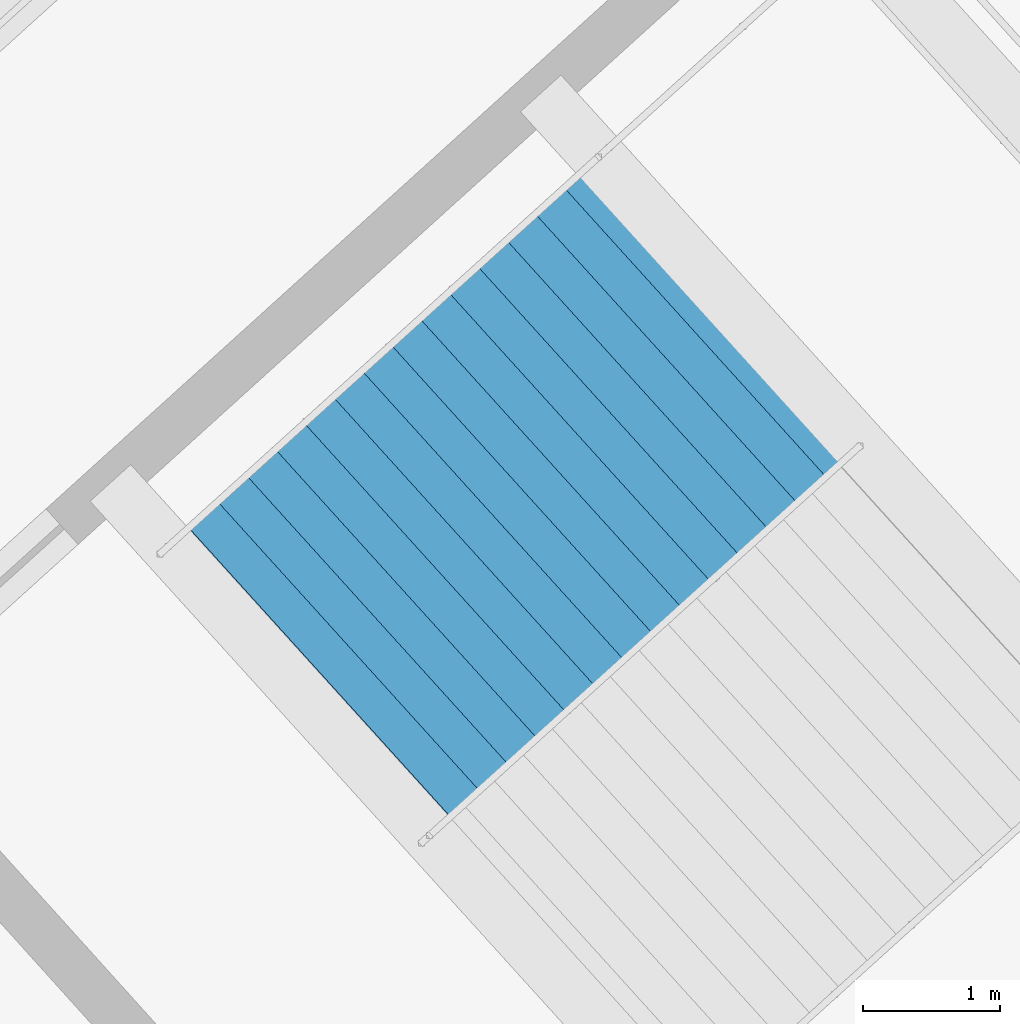
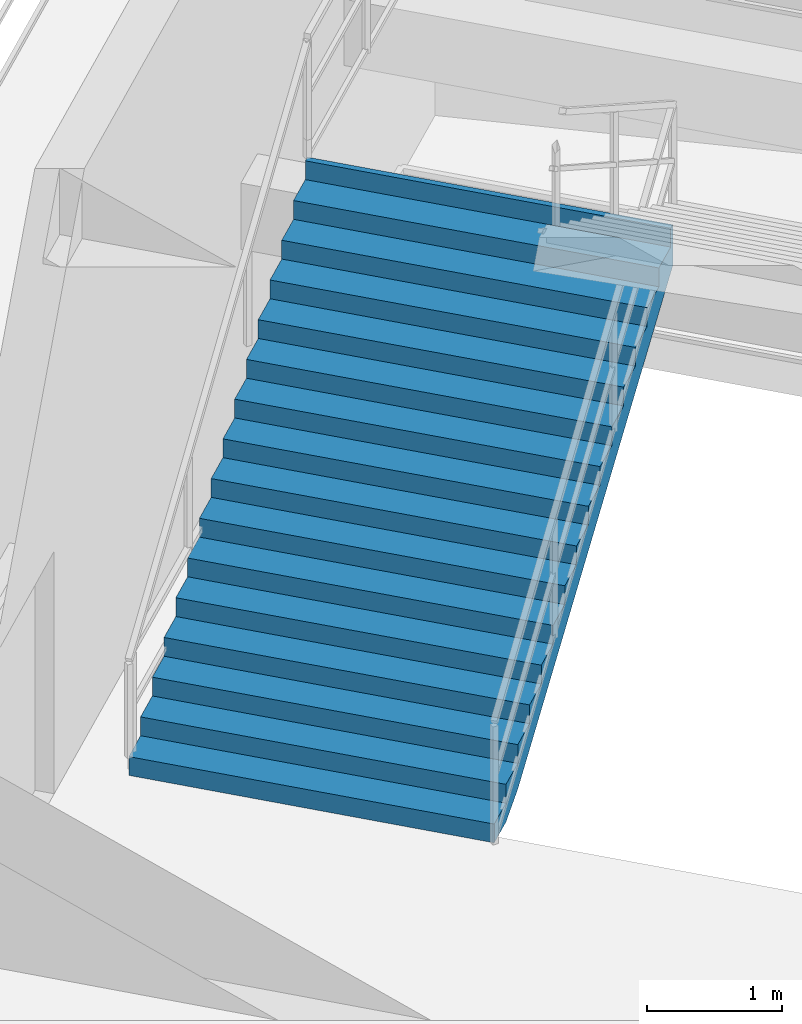
# One storey, part 154 of 186: 1 stair flight, 1 element without a shape of its own.
"""IFC4 building model written with IfcOpenShell, lengths in metres."""

from ifc_helpers import new_model, si_unit, direction, frame, origin, place, context, subcontext, project, spatial, polygons, material, type_object, element, aggregate, save


model = new_model("IFC4")

# Units and contexts
model_context = context("Model", 3, precision=1e-05, world=origin(), true_north=direction((0.0, 1.0)))
body_context = subcontext(model_context, "Body", "Model", "MODEL_VIEW")
ifc_project = project(units=[si_unit("LENGTHUNIT", "METRE"), si_unit("AREAUNIT", "SQUARE_METRE"), si_unit("VOLUMEUNIT", "CUBIC_METRE"), si_unit("PLANEANGLEUNIT", "RADIAN"), si_unit("MASSUNIT", "GRAM", prefix="KILO")], contexts=[model_context])

# Site, building, storey
site_placement = place(None, origin())
site = spatial("IfcSite", under=ifc_project, at=site_placement, CompositionType="ELEMENT")
building_placement = place(site_placement, origin())
building = spatial("IfcBuilding", under=site, at=building_placement, Name="Kazemori Nagisa Stadium", CompositionType="ELEMENT")
storey_placement = place(building_placement, frame((0.0, 0.0, 20.39990234375)))
storey = spatial("IfcBuildingStorey", under=building, at=storey_placement, Name="L04", CompositionType="ELEMENT", Elevation=20.39990234375)

# Stair, stair flight
ifc_material = material(Name="Concrete C36/45 (Fc36)", Category="concrete")
stair_type = type_object("IfcStairType", Name="Stair_CORE_32", PredefinedType="TWO_STRAIGHT_RUN_STAIR", material=ifc_material)
stair_placement = place(storey_placement, origin())
stair = element("IfcStair", 1, at=stair_placement, inside=storey, type_object=stair_type, Name="Exit stair ST04 L04", PredefinedType="TWO_STRAIGHT_RUN_STAIR")
stair_flight_type = type_object("IfcStairFlightType", Name="Flight_CORE_16", PredefinedType="STRAIGHT", material=ifc_material)
stair_flight_placement = place(storey_placement, frame((182.77587890625, 39.410400390625, 0.0), z_axis=(0.0, 0.0, 1.0), x_axis=(0.741328742395, 0.671142083093, 0.0)))
stair_flight = element("IfcStairFlight", 2, at=stair_flight_placement, type_object=stair_flight_type, Name="Exit stair ST04 L04 flight 1", NumberOfRisers=16, NumberOfTreads=15, PredefinedType="STRAIGHT", RiserHeight=0.17, TreadLength=0.285, context=body_context, shape_type="Tessellation", body=[
    polygons([(0.0, -1.425048828125, 0.0), (0.0, -1.425048828125, 0.169921875), (0.284912109375, -1.425048828125, 0.169921875), (0.284912109375, -1.425048828125, 0.340087890625), (0.570068359375, -1.425048828125, 0.340087890625), (0.570068359375, -1.425048828125, 0.510009765625), (0.85498046875, -1.425048828125, 0.510009765625), (0.85498046875, -1.425048828125, 0.679931640625), (1.139892578125, -1.425048828125, 0.679931640625), (1.139892578125, -1.425048828125, 0.85009765625), (1.425048828125, -1.425048828125, 0.85009765625), (1.425048828125, -1.425048828125, 1.02001953125), (1.7099609375, -1.425048828125, 1.02001953125), (1.7099609375, -1.425048828125, 1.18994140625), (1.9951171875, -1.425048828125, 1.18994140625), (1.9951171875, -1.425048828125, 1.360107421875), (2.280029296875, -1.425048828125, 1.360107421875), (2.280029296875, -1.425048828125, 1.530029296875), (2.56494140625, -1.425048828125, 1.530029296875), (2.56494140625, -1.425048828125, 1.699951171875), (2.85009765625, -1.425048828125, 1.699951171875), (2.85009765625, -1.425048828125, 1.8701171875), (3.135009765625, -1.425048828125, 1.8701171875), (3.135009765625, -1.425048828125, 2.0400390625), (3.419921875, -1.425048828125, 2.0400390625), (3.419921875, -1.425048828125, 2.2099609375), (3.705078125, -1.425048828125, 2.2099609375), (3.705078125, -1.425048828125, 2.3798828125), (3.989990234375, -1.425048828125, 2.3798828125), (3.989990234375, -1.425048828125, 2.550048828125), (4.27490234375, -1.425048828125, 2.550048828125), (4.27490234375, -1.425048828125, 2.719970703125), (4.324951171875, -1.425048828125, 2.719970703125), (4.324951171875, -1.425048828125, 2.346923828125), (4.27490234375, -1.425048828125, 2.317138671875), (3.989990234375, -1.425048828125, 2.147216796875), (3.705078125, -1.425048828125, 1.977294921875), (3.419921875, -1.425048828125, 1.80712890625), (3.135009765625, -1.425048828125, 1.63720703125), (2.85009765625, -1.425048828125, 1.46728515625), (2.56494140625, -1.425048828125, 1.297119140625), (2.280029296875, -1.425048828125, 1.127197265625), (1.9951171875, -1.425048828125, 0.957275390625), (1.7099609375, -1.425048828125, 0.787109375), (1.425048828125, -1.425048828125, 0.6171875), (1.139892578125, -1.425048828125, 0.447265625), (0.85498046875, -1.425048828125, 0.277099609375), (0.570068359375, -1.425048828125, 0.107177734375), (0.284912109375, -1.425048828125, 0.0), (0.0, -0.08544921875, 0.0), (0.0, -0.08544921875, 0.169921875), (0.284912109375, -0.08544921875, 0.169921875), (0.284912109375, -0.08544921875, 0.340087890625), (0.570068359375, -0.08544921875, 0.340087890625), (0.570068359375, -0.08544921875, 0.510009765625), (0.85498046875, -0.08544921875, 0.510009765625), (0.85498046875, -0.08544921875, 0.679931640625), (1.139892578125, -0.08544921875, 0.679931640625), (1.139892578125, -0.08544921875, 0.85009765625), (1.425048828125, -0.08544921875, 0.85009765625), (1.425048828125, -0.08544921875, 1.02001953125), (1.7099609375, -0.08544921875, 1.02001953125), (1.7099609375, -0.08544921875, 1.18994140625), (1.9951171875, -0.08544921875, 1.18994140625), (1.9951171875, -0.08544921875, 1.360107421875), (2.280029296875, -0.08544921875, 1.360107421875), (2.280029296875, -0.08544921875, 1.530029296875), (2.56494140625, -0.08544921875, 1.530029296875), (2.56494140625, -0.08544921875, 1.699951171875), (2.85009765625, -0.08544921875, 1.699951171875), (2.85009765625, -0.08544921875, 1.8701171875), (3.135009765625, -0.08544921875, 1.8701171875), (3.135009765625, -0.08544921875, 2.0400390625), (3.419921875, -0.08544921875, 2.0400390625), (3.419921875, -0.08544921875, 2.2099609375), (3.705078125, -0.08544921875, 2.2099609375), (3.705078125, -0.08544921875, 2.3798828125), (3.989990234375, -0.08544921875, 2.3798828125), (3.989990234375, -0.08544921875, 2.550048828125), (4.27490234375, -0.08544921875, 2.550048828125), (4.27490234375, -0.08544921875, 2.719970703125), (4.324951171875, -0.08544921875, 2.719970703125), (4.324951171875, -0.08544921875, 2.346923828125), (4.27490234375, -0.08544921875, 2.317138671875), (3.989990234375, -0.08544921875, 2.147216796875), (3.705078125, -0.08544921875, 1.977294921875), (3.419921875, -0.08544921875, 1.80712890625), (3.135009765625, -0.08544921875, 1.63720703125), (2.85009765625, -0.08544921875, 1.46728515625), (2.56494140625, -0.08544921875, 1.297119140625), (2.280029296875, -0.08544921875, 1.127197265625), (1.9951171875, -0.08544921875, 0.957275390625), (1.7099609375, -0.08544921875, 0.787109375), (1.425048828125, -0.08544921875, 0.6171875), (1.139892578125, -0.08544921875, 0.447265625), (0.85498046875, -0.08544921875, 0.277099609375), (0.570068359375, -0.08544921875, 0.107177734375), (0.284912109375, -0.08544921875, 0.0), (0.0, 0.0, 0.0), (0.0, 0.0, 0.169921875), (0.284912109375, 0.0, 0.169921875), (0.284912109375, 0.0, 0.340087890625), (0.570068359375, 0.0, 0.340087890625), (0.570068359375, 0.0, 0.510009765625), (0.85498046875, 0.0, 0.510009765625), (0.85498046875, 0.0, 0.679931640625), (1.139892578125, 0.0, 0.679931640625), (1.139892578125, 0.0, 0.85009765625), (1.425048828125, 0.0, 0.85009765625), (1.425048828125, 0.0, 1.02001953125), (1.7099609375, 0.0, 1.02001953125), (1.7099609375, 0.0, 1.18994140625), (1.9951171875, 0.0, 1.18994140625), (1.9951171875, 0.0, 1.360107421875), (2.280029296875, 0.0, 1.360107421875), (2.280029296875, 0.0, 1.530029296875), (2.56494140625, 0.0, 1.530029296875), (2.56494140625, 0.0, 1.699951171875), (2.85009765625, 0.0, 1.699951171875), (2.85009765625, 0.0, 1.8701171875), (3.135009765625, 0.0, 1.8701171875), (3.135009765625, 0.0, 2.0400390625), (3.419921875, 0.0, 2.0400390625), (3.419921875, 0.0, 2.2099609375), (3.705078125, 0.0, 2.2099609375), (3.705078125, 0.0, 2.3798828125), (3.989990234375, 0.0, 2.3798828125), (3.989990234375, 0.0, 2.550048828125), (4.27490234375, 0.0, 2.550048828125), (4.27490234375, 0.0, 2.719970703125), (4.324951171875, 0.0, 2.719970703125), (4.324951171875, 0.0, 2.346923828125), (4.27490234375, 0.0, 2.317138671875), (3.989990234375, 0.0, 2.147216796875), (3.705078125, 0.0, 1.977294921875), (3.419921875, 0.0, 1.80712890625), (3.135009765625, 0.0, 1.63720703125), (2.85009765625, 0.0, 1.46728515625), (2.56494140625, 0.0, 1.297119140625), (2.280029296875, 0.0, 1.127197265625), (1.9951171875, 0.0, 0.957275390625), (1.7099609375, 0.0, 0.787109375), (1.425048828125, 0.0, 0.6171875), (1.139892578125, 0.0, 0.447265625), (0.85498046875, 0.0, 0.277099609375), (0.570068359375, 0.0, 0.107177734375), (0.284912109375, 0.0, 0.0), (0.0, 0.08544921875, 0.0), (0.0, 0.08544921875, 0.169921875), (0.284912109375, 0.08544921875, 0.169921875), (0.284912109375, 0.08544921875, 0.340087890625), (0.570068359375, 0.08544921875, 0.340087890625), (0.570068359375, 0.08544921875, 0.510009765625), (0.85498046875, 0.08544921875, 0.510009765625), (0.85498046875, 0.08544921875, 0.679931640625), (1.139892578125, 0.08544921875, 0.679931640625), (1.139892578125, 0.08544921875, 0.85009765625), (1.425048828125, 0.08544921875, 0.85009765625), (1.425048828125, 0.08544921875, 1.02001953125), (1.7099609375, 0.08544921875, 1.02001953125), (1.7099609375, 0.08544921875, 1.18994140625), (1.9951171875, 0.08544921875, 1.18994140625), (1.9951171875, 0.08544921875, 1.360107421875), (2.280029296875, 0.08544921875, 1.360107421875), (2.280029296875, 0.08544921875, 1.530029296875), (2.56494140625, 0.08544921875, 1.530029296875), (2.56494140625, 0.08544921875, 1.699951171875), (2.85009765625, 0.08544921875, 1.699951171875), (2.85009765625, 0.08544921875, 1.8701171875), (3.135009765625, 0.08544921875, 1.8701171875), (3.135009765625, 0.08544921875, 2.0400390625), (3.419921875, 0.08544921875, 2.0400390625), (3.419921875, 0.08544921875, 2.2099609375), (3.705078125, 0.08544921875, 2.2099609375), (3.705078125, 0.08544921875, 2.3798828125), (3.989990234375, 0.08544921875, 2.3798828125), (3.989990234375, 0.08544921875, 2.550048828125), (4.27490234375, 0.08544921875, 2.550048828125), (4.27490234375, 0.08544921875, 2.719970703125), (4.324951171875, 0.08544921875, 2.719970703125), (4.324951171875, 0.08544921875, 2.346923828125), (4.27490234375, 0.08544921875, 2.317138671875), (3.989990234375, 0.08544921875, 2.147216796875), (3.705078125, 0.08544921875, 1.977294921875), (3.419921875, 0.08544921875, 1.80712890625), (3.135009765625, 0.08544921875, 1.63720703125), (2.85009765625, 0.08544921875, 1.46728515625), (2.56494140625, 0.08544921875, 1.297119140625), (2.280029296875, 0.08544921875, 1.127197265625), (1.9951171875, 0.08544921875, 0.957275390625), (1.7099609375, 0.08544921875, 0.787109375), (1.425048828125, 0.08544921875, 0.6171875), (1.139892578125, 0.08544921875, 0.447265625), (0.85498046875, 0.08544921875, 0.277099609375), (0.570068359375, 0.08544921875, 0.107177734375), (0.284912109375, 0.08544921875, 0.0), (0.0, 1.425048828125, 0.0), (0.0, 1.425048828125, 0.169921875), (0.284912109375, 1.425048828125, 0.169921875), (0.284912109375, 1.425048828125, 0.340087890625), (0.570068359375, 1.425048828125, 0.340087890625), (0.570068359375, 1.425048828125, 0.510009765625), (0.85498046875, 1.425048828125, 0.510009765625), (0.85498046875, 1.425048828125, 0.679931640625), (1.139892578125, 1.425048828125, 0.679931640625), (1.139892578125, 1.425048828125, 0.85009765625), (1.425048828125, 1.425048828125, 0.85009765625), (1.425048828125, 1.425048828125, 1.02001953125), (1.7099609375, 1.425048828125, 1.02001953125), (1.7099609375, 1.425048828125, 1.18994140625), (1.9951171875, 1.425048828125, 1.18994140625), (1.9951171875, 1.425048828125, 1.360107421875), (2.280029296875, 1.425048828125, 1.360107421875), (2.280029296875, 1.425048828125, 1.530029296875), (2.56494140625, 1.425048828125, 1.530029296875), (2.56494140625, 1.425048828125, 1.699951171875), (2.85009765625, 1.425048828125, 1.699951171875), (2.85009765625, 1.425048828125, 1.8701171875), (3.135009765625, 1.425048828125, 1.8701171875), (3.135009765625, 1.425048828125, 2.0400390625), (3.419921875, 1.425048828125, 2.0400390625), (3.419921875, 1.425048828125, 2.2099609375), (3.705078125, 1.425048828125, 2.2099609375), (3.705078125, 1.425048828125, 2.3798828125), (3.989990234375, 1.425048828125, 2.3798828125), (3.989990234375, 1.425048828125, 2.550048828125), (4.27490234375, 1.425048828125, 2.550048828125), (4.27490234375, 1.425048828125, 2.719970703125), (4.324951171875, 1.425048828125, 2.719970703125), (4.324951171875, 1.425048828125, 2.346923828125), (4.27490234375, 1.425048828125, 2.317138671875), (3.989990234375, 1.425048828125, 2.147216796875), (3.705078125, 1.425048828125, 1.977294921875), (3.419921875, 1.425048828125, 1.80712890625), (3.135009765625, 1.425048828125, 1.63720703125), (2.85009765625, 1.425048828125, 1.46728515625), (2.56494140625, 1.425048828125, 1.297119140625), (2.280029296875, 1.425048828125, 1.127197265625), (1.9951171875, 1.425048828125, 0.957275390625), (1.7099609375, 1.425048828125, 0.787109375), (1.425048828125, 1.425048828125, 0.6171875), (1.139892578125, 1.425048828125, 0.447265625), (0.85498046875, 1.425048828125, 0.277099609375), (0.570068359375, 1.425048828125, 0.107177734375), (0.284912109375, 1.425048828125, 0.0)], [[[1, 2, 51]], [[1, 51, 50]], [[2, 3, 52]], [[2, 52, 51]], [[3, 4, 53]], [[3, 53, 52]], [[4, 5, 54]], [[4, 54, 53]], [[5, 6, 55]], [[5, 55, 54]], [[6, 7, 56]], [[6, 56, 55]], [[7, 8, 57]], [[7, 57, 56]], [[8, 9, 58]], [[8, 58, 57]], [[9, 10, 59]], [[9, 59, 58]], [[10, 11, 60]], [[10, 60, 59]], [[11, 12, 61]], [[11, 61, 60]], [[12, 13, 62]], [[12, 62, 61]], [[13, 14, 63]], [[13, 63, 62]], [[14, 15, 64]], [[14, 64, 63]], [[15, 16, 65]], [[15, 65, 64]], [[16, 17, 66]], [[16, 66, 65]], [[17, 18, 67]], [[17, 67, 66]], [[18, 19, 68]], [[18, 68, 67]], [[19, 20, 69]], [[19, 69, 68]], [[20, 21, 70]], [[20, 70, 69]], [[21, 22, 71]], [[21, 71, 70]], [[22, 23, 72]], [[22, 72, 71]], [[23, 24, 73]], [[23, 73, 72]], [[24, 25, 74]], [[24, 74, 73]], [[25, 26, 75]], [[25, 75, 74]], [[26, 27, 76]], [[26, 76, 75]], [[27, 28, 77]], [[27, 77, 76]], [[28, 29, 78]], [[28, 78, 77]], [[29, 30, 79]], [[29, 79, 78]], [[30, 31, 80]], [[30, 80, 79]], [[31, 32, 81]], [[31, 81, 80]], [[32, 33, 82]], [[32, 82, 81]], [[33, 34, 83]], [[33, 83, 82]], [[34, 35, 84]], [[34, 84, 83]], [[35, 36, 85]], [[35, 85, 84]], [[36, 37, 86]], [[36, 86, 85]], [[37, 38, 87]], [[37, 87, 86]], [[38, 39, 88]], [[38, 88, 87]], [[39, 40, 89]], [[39, 89, 88]], [[40, 41, 90]], [[40, 90, 89]], [[41, 42, 91]], [[41, 91, 90]], [[42, 43, 92]], [[42, 92, 91]], [[43, 44, 93]], [[43, 93, 92]], [[44, 45, 94]], [[44, 94, 93]], [[45, 46, 95]], [[45, 95, 94]], [[46, 47, 96]], [[46, 96, 95]], [[47, 48, 97]], [[47, 97, 96]], [[48, 49, 98]], [[48, 98, 97]], [[49, 1, 50]], [[49, 50, 98]], [[50, 51, 100]], [[50, 100, 99]], [[51, 52, 101]], [[51, 101, 100]], [[52, 53, 102]], [[52, 102, 101]], [[53, 54, 103]], [[53, 103, 102]], [[54, 55, 104]], [[54, 104, 103]], [[55, 56, 105]], [[55, 105, 104]], [[56, 57, 106]], [[56, 106, 105]], [[57, 58, 107]], [[57, 107, 106]], [[58, 59, 108]], [[58, 108, 107]], [[59, 60, 109]], [[59, 109, 108]], [[60, 61, 110]], [[60, 110, 109]], [[61, 62, 111]], [[61, 111, 110]], [[62, 63, 112]], [[62, 112, 111]], [[63, 64, 113]], [[63, 113, 112]], [[64, 65, 114]], [[64, 114, 113]], [[65, 66, 115]], [[65, 115, 114]], [[66, 67, 116]], [[66, 116, 115]], [[67, 68, 117]], [[67, 117, 116]], [[68, 69, 118]], [[68, 118, 117]], [[69, 70, 119]], [[69, 119, 118]], [[70, 71, 120]], [[70, 120, 119]], [[71, 72, 121]], [[71, 121, 120]], [[72, 73, 122]], [[72, 122, 121]], [[73, 74, 123]], [[73, 123, 122]], [[74, 75, 124]], [[74, 124, 123]], [[75, 76, 125]], [[75, 125, 124]], [[76, 77, 126]], [[76, 126, 125]], [[77, 78, 127]], [[77, 127, 126]], [[78, 79, 128]], [[78, 128, 127]], [[79, 80, 129]], [[79, 129, 128]], [[80, 81, 130]], [[80, 130, 129]], [[81, 82, 131]], [[81, 131, 130]], [[82, 83, 132]], [[82, 132, 131]], [[83, 84, 133]], [[83, 133, 132]], [[84, 85, 134]], [[84, 134, 133]], [[85, 86, 135]], [[85, 135, 134]], [[86, 87, 136]], [[86, 136, 135]], [[87, 88, 137]], [[87, 137, 136]], [[88, 89, 138]], [[88, 138, 137]], [[89, 90, 139]], [[89, 139, 138]], [[90, 91, 140]], [[90, 140, 139]], [[91, 92, 141]], [[91, 141, 140]], [[92, 93, 142]], [[92, 142, 141]], [[93, 94, 143]], [[93, 143, 142]], [[94, 95, 144]], [[94, 144, 143]], [[95, 96, 145]], [[95, 145, 144]], [[96, 97, 146]], [[96, 146, 145]], [[97, 98, 147]], [[97, 147, 146]], [[98, 50, 99]], [[98, 99, 147]], [[99, 100, 149]], [[99, 149, 148]], [[100, 101, 150]], [[100, 150, 149]], [[101, 102, 151]], [[101, 151, 150]], [[102, 103, 152]], [[102, 152, 151]], [[103, 104, 153]], [[103, 153, 152]], [[104, 105, 154]], [[104, 154, 153]], [[105, 106, 155]], [[105, 155, 154]], [[106, 107, 156]], [[106, 156, 155]], [[107, 108, 157]], [[107, 157, 156]], [[108, 109, 158]], [[108, 158, 157]], [[109, 110, 159]], [[109, 159, 158]], [[110, 111, 160]], [[110, 160, 159]], [[111, 112, 161]], [[111, 161, 160]], [[112, 113, 162]], [[112, 162, 161]], [[113, 114, 163]], [[113, 163, 162]], [[114, 115, 164]], [[114, 164, 163]], [[115, 116, 165]], [[115, 165, 164]], [[116, 117, 166]], [[116, 166, 165]], [[117, 118, 167]], [[117, 167, 166]], [[118, 119, 168]], [[118, 168, 167]], [[119, 120, 169]], [[119, 169, 168]], [[120, 121, 170]], [[120, 170, 169]], [[121, 122, 171]], [[121, 171, 170]], [[122, 123, 172]], [[122, 172, 171]], [[123, 124, 173]], [[123, 173, 172]], [[124, 125, 174]], [[124, 174, 173]], [[125, 126, 175]], [[125, 175, 174]], [[126, 127, 176]], [[126, 176, 175]], [[127, 128, 177]], [[127, 177, 176]], [[128, 129, 178]], [[128, 178, 177]], [[129, 130, 179]], [[129, 179, 178]], [[130, 131, 180]], [[130, 180, 179]], [[131, 132, 181]], [[131, 181, 180]], [[132, 133, 182]], [[132, 182, 181]], [[133, 134, 183]], [[133, 183, 182]], [[134, 135, 184]], [[134, 184, 183]], [[135, 136, 185]], [[135, 185, 184]], [[136, 137, 186]], [[136, 186, 185]], [[137, 138, 187]], [[137, 187, 186]], [[138, 139, 188]], [[138, 188, 187]], [[139, 140, 189]], [[139, 189, 188]], [[140, 141, 190]], [[140, 190, 189]], [[141, 142, 191]], [[141, 191, 190]], [[142, 143, 192]], [[142, 192, 191]], [[143, 144, 193]], [[143, 193, 192]], [[144, 145, 194]], [[144, 194, 193]], [[145, 146, 195]], [[145, 195, 194]], [[146, 147, 196]], [[146, 196, 195]], [[147, 99, 148]], [[147, 148, 196]], [[148, 149, 198]], [[148, 198, 197]], [[149, 150, 199]], [[149, 199, 198]], [[150, 151, 200]], [[150, 200, 199]], [[151, 152, 201]], [[151, 201, 200]], [[152, 153, 202]], [[152, 202, 201]], [[153, 154, 203]], [[153, 203, 202]], [[154, 155, 204]], [[154, 204, 203]], [[155, 156, 205]], [[155, 205, 204]], [[156, 157, 206]], [[156, 206, 205]], [[157, 158, 207]], [[157, 207, 206]], [[158, 159, 208]], [[158, 208, 207]], [[159, 160, 209]], [[159, 209, 208]], [[160, 161, 210]], [[160, 210, 209]], [[161, 162, 211]], [[161, 211, 210]], [[162, 163, 212]], [[162, 212, 211]], [[163, 164, 213]], [[163, 213, 212]], [[164, 165, 214]], [[164, 214, 213]], [[165, 166, 215]], [[165, 215, 214]], [[166, 167, 216]], [[166, 216, 215]], [[167, 168, 217]], [[167, 217, 216]], [[168, 169, 218]], [[168, 218, 217]], [[169, 170, 219]], [[169, 219, 218]], [[170, 171, 220]], [[170, 220, 219]], [[171, 172, 221]], [[171, 221, 220]], [[172, 173, 222]], [[172, 222, 221]], [[173, 174, 223]], [[173, 223, 222]], [[174, 175, 224]], [[174, 224, 223]], [[175, 176, 225]], [[175, 225, 224]], [[176, 177, 226]], [[176, 226, 225]], [[177, 178, 227]], [[177, 227, 226]], [[178, 179, 228]], [[178, 228, 227]], [[179, 180, 229]], [[179, 229, 228]], [[180, 181, 230]], [[180, 230, 229]], [[181, 182, 231]], [[181, 231, 230]], [[182, 183, 232]], [[182, 232, 231]], [[183, 184, 233]], [[183, 233, 232]], [[184, 185, 234]], [[184, 234, 233]], [[185, 186, 235]], [[185, 235, 234]], [[186, 187, 236]], [[186, 236, 235]], [[187, 188, 237]], [[187, 237, 236]], [[188, 189, 238]], [[188, 238, 237]], [[189, 190, 239]], [[189, 239, 238]], [[190, 191, 240]], [[190, 240, 239]], [[191, 192, 241]], [[191, 241, 240]], [[192, 193, 242]], [[192, 242, 241]], [[193, 194, 243]], [[193, 243, 242]], [[194, 195, 244]], [[194, 244, 243]], [[195, 196, 245]], [[195, 245, 244]], [[196, 148, 197]], [[196, 197, 245]], [[3, 2, 1]], [[197, 198, 199]], [[49, 3, 1]], [[197, 199, 245]], [[48, 3, 49]], [[245, 199, 244]], [[5, 3, 48]], [[244, 199, 201]], [[5, 4, 3]], [[199, 200, 201]], [[47, 5, 48]], [[244, 201, 243]], [[7, 5, 47]], [[243, 201, 203]], [[7, 6, 5]], [[201, 202, 203]], [[46, 7, 47]], [[243, 203, 242]], [[9, 7, 46]], [[242, 203, 205]], [[9, 8, 7]], [[203, 204, 205]], [[45, 9, 46]], [[242, 205, 241]], [[11, 9, 45]], [[241, 205, 207]], [[11, 10, 9]], [[205, 206, 207]], [[44, 11, 45]], [[241, 207, 240]], [[13, 11, 44]], [[240, 207, 209]], [[13, 12, 11]], [[207, 208, 209]], [[43, 13, 44]], [[240, 209, 239]], [[15, 13, 43]], [[239, 209, 211]], [[15, 14, 13]], [[209, 210, 211]], [[42, 15, 43]], [[239, 211, 238]], [[17, 15, 42]], [[238, 211, 213]], [[17, 16, 15]], [[211, 212, 213]], [[41, 17, 42]], [[238, 213, 237]], [[19, 17, 41]], [[237, 213, 215]], [[19, 18, 17]], [[213, 214, 215]], [[40, 19, 41]], [[237, 215, 236]], [[21, 19, 40]], [[236, 215, 217]], [[21, 20, 19]], [[215, 216, 217]], [[39, 21, 40]], [[236, 217, 235]], [[23, 21, 39]], [[235, 217, 219]], [[23, 22, 21]], [[217, 218, 219]], [[38, 23, 39]], [[235, 219, 234]], [[25, 23, 38]], [[234, 219, 221]], [[25, 24, 23]], [[219, 220, 221]], [[37, 25, 38]], [[234, 221, 233]], [[27, 25, 37]], [[233, 221, 223]], [[27, 26, 25]], [[221, 222, 223]], [[36, 27, 37]], [[233, 223, 232]], [[29, 27, 36]], [[232, 223, 225]], [[29, 28, 27]], [[223, 224, 225]], [[35, 29, 36]], [[232, 225, 231]], [[31, 29, 35]], [[231, 225, 227]], [[31, 30, 29]], [[225, 226, 227]], [[34, 31, 35]], [[231, 227, 230]], [[33, 31, 34]], [[230, 227, 229]], [[33, 32, 31]], [[227, 228, 229]]], closed=True),
])
aggregate(stair, [stair_flight])

save(model, "model.ifc")
